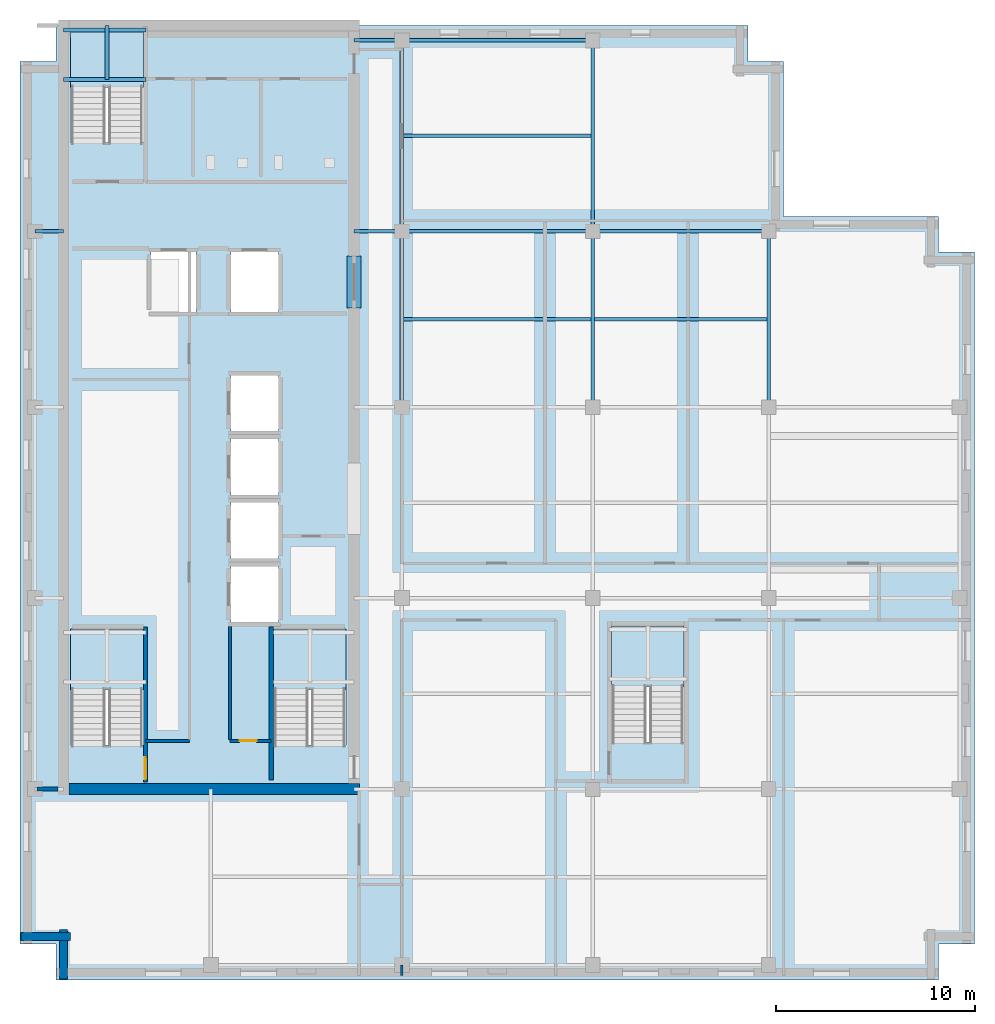
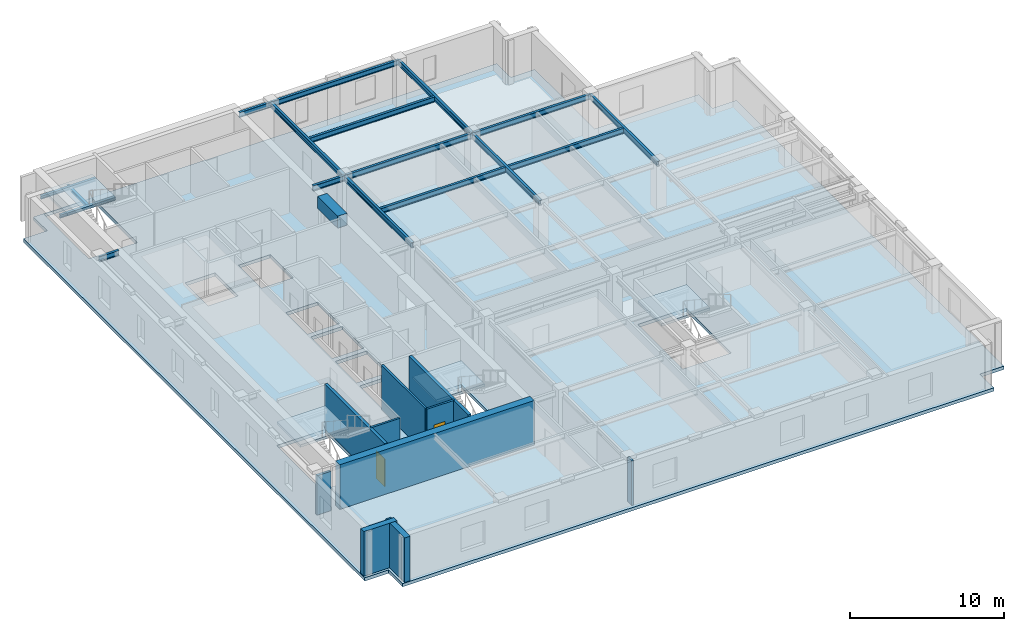
# One storey, part 2 of 10: 18 beams, 10 walls, 5 slabs, 2 doors, 2 openings, 4 elements without a shape of their own.
"""IFC4 building model written with IfcOpenShell, lengths in metres."""

from ifc_helpers import new_model, si_unit, direction, frame, frame_2d, origin, origin_2d, place, context, subcontext, project, spatial, polyline, rectangle, i_section, outline, extrude, material, layer, layer_set, material_profile, profile_set, type_object, element, fill, aggregate, save


model = new_model("IFC4")

# Units and contexts
model_context = context("Model", 3, precision=1e-05, world=origin(), true_north=direction((0.0, 1.0)))
body_context = subcontext(model_context, "Body", "Model", "MODEL_VIEW")
ifc_project = project(units=[si_unit("LENGTHUNIT", "METRE"), si_unit("AREAUNIT", "SQUARE_METRE"), si_unit("VOLUMEUNIT", "CUBIC_METRE"), si_unit("PLANEANGLEUNIT", "RADIAN"), si_unit("MASSUNIT", "GRAM", prefix="KILO")], contexts=[model_context])

# Site, building, storey
site_placement = place(None, origin())
site = spatial("IfcSite", under=ifc_project, at=site_placement, CompositionType="ELEMENT")
building_placement = place(site_placement, origin())
building = spatial("IfcBuilding", under=site, at=building_placement, Name="Norrvale University Quadrangle", CompositionType="ELEMENT")
storey_placement = place(building_placement, frame((0.0, 0.0, 273.39990234375)))
storey = spatial("IfcBuildingStorey", under=building, at=storey_placement, Name="L69", CompositionType="ELEMENT", Elevation=273.39990234375)

# Beams
ifc_material_1 = material(Name="Steel 350W", Category="steel")
ifc_material_profile_1 = material_profile(ifc_material_1, i_section(OverallWidth=0.180908203125, OverallDepth=0.4169921875, WebThickness=0.010986328125, FlangeThickness=0.018310546875, FilletRadius=0.011962890625, at=origin_2d()), Name="Steel 350W")
ifc_profile_set_1 = profile_set([ifc_material_profile_1], Name="Steel 350W")
beam_type_1 = type_object("IfcBeamType", Name="Beam Atrium W410x85", PredefinedType="BEAM", material=ifc_profile_set_1)
beam_1_placement = place(storey_placement, frame((19.199951171875, 37.64990234375, 3.33154296875), z_axis=(1.0, 0.0, 0.0), x_axis=(0.0, 1.0, 0.0)))
element("IfcBeam", 1, at=beam_1_placement, inside=storey, type_object=beam_type_1, Name="Beam Atrium W410x85 BM-L69-GX013", PredefinedType="BEAM", context=body_context, shape_type="SweptSolid", body=[
    extrude(i_section(OverallWidth=0.180908203125, OverallDepth=0.4169921875, WebThickness=0.010986328125, FlangeThickness=0.018310546875, FilletRadius=0.011962890625, at=origin_2d()), origin(), (0.0, 0.0, 1.0), 9.60009765625),
])
beam_2_placement = place(storey_placement, frame((28.800048828125, 37.64990234375, 3.33154296875), z_axis=(1.0, 0.0, 0.0), x_axis=(0.0, 1.0, 0.0)))
element("IfcBeam", 2, at=beam_2_placement, inside=storey, type_object=beam_type_1, Name="Beam Atrium W410x85 BM-L69-GX014", PredefinedType="BEAM", context=body_context, shape_type="SweptSolid", body=[
    extrude(i_section(OverallWidth=0.180908203125, OverallDepth=0.4169921875, WebThickness=0.010986328125, FlangeThickness=0.018310546875, FilletRadius=0.011962890625, at=origin_2d()), origin(), (0.0, 0.0, 1.0), 8.849853515625),
])
beam_3_placement = place(storey_placement, frame((19.199951171875, 47.25, 3.33154296875), z_axis=(1.0, 0.0, 0.0), x_axis=(0.0, 1.0, 0.0)))
element("IfcBeam", 3, at=beam_3_placement, inside=storey, type_object=beam_type_1, Name="Beam Atrium W410x85 BM-L69-GX015", PredefinedType="BEAM", context=body_context, shape_type="SweptSolid", body=[
    extrude(i_section(OverallWidth=0.180908203125, OverallDepth=0.4169921875, WebThickness=0.010986328125, FlangeThickness=0.018310546875, FilletRadius=0.011962890625, at=origin_2d()), origin(), (0.0, 0.0, 1.0), 9.60009765625),
])
beam_4_placement = place(storey_placement, frame((19.199951171875, 28.800048828125, 3.33154296875), z_axis=(0.0, 1.0, 0.0), x_axis=(-1.0, 0.0, 0.0)))
element("IfcBeam", 4, at=beam_4_placement, inside=storey, type_object=beam_type_1, Name="Beam Atrium W410x85 BM-L69-GY022", PredefinedType="BEAM", context=body_context, shape_type="SweptSolid", body=[
    extrude(i_section(OverallWidth=0.180908203125, OverallDepth=0.4169921875, WebThickness=0.010986328125, FlangeThickness=0.018310546875, FilletRadius=0.011962890625, at=origin_2d()), origin(), (0.0, 0.0, 1.0), 8.849853515625),
])
beam_5_placement = place(storey_placement, frame((19.199951171875, 37.64990234375, 3.33154296875), z_axis=(0.0, 1.0, 0.0), x_axis=(-1.0, 0.0, 0.0)))
element("IfcBeam", 5, at=beam_5_placement, inside=storey, type_object=beam_type_1, Name="Beam Atrium W410x85 BM-L69-GY023", PredefinedType="BEAM", context=body_context, shape_type="SweptSolid", body=[
    extrude(i_section(OverallWidth=0.180908203125, OverallDepth=0.4169921875, WebThickness=0.010986328125, FlangeThickness=0.018310546875, FilletRadius=0.011962890625, at=origin_2d()), origin(), (0.0, 0.0, 1.0), 9.60009765625),
])
beam_6_placement = place(storey_placement, frame((28.800048828125, 28.800048828125, 3.33154296875), z_axis=(0.0, 1.0, 0.0), x_axis=(-1.0, 0.0, 0.0)))
element("IfcBeam", 6, at=beam_6_placement, inside=storey, type_object=beam_type_1, Name="Beam Atrium W410x85 BM-L69-GY027", PredefinedType="BEAM", context=body_context, shape_type="SweptSolid", body=[
    extrude(i_section(OverallWidth=0.180908203125, OverallDepth=0.4169921875, WebThickness=0.010986328125, FlangeThickness=0.018310546875, FilletRadius=0.011962890625, at=origin_2d()), origin(), (0.0, 0.0, 1.0), 8.849853515625),
])
beam_7_placement = place(storey_placement, frame((28.800048828125, 37.64990234375, 3.33154296875), z_axis=(0.0, 1.0, 0.0), x_axis=(-1.0, 0.0, 0.0)))
element("IfcBeam", 7, at=beam_7_placement, inside=storey, type_object=beam_type_1, Name="Beam Atrium W410x85 BM-L69-GY028", PredefinedType="BEAM", context=body_context, shape_type="SweptSolid", body=[
    extrude(i_section(OverallWidth=0.180908203125, OverallDepth=0.4169921875, WebThickness=0.010986328125, FlangeThickness=0.018310546875, FilletRadius=0.011962890625, at=origin_2d()), origin(), (0.0, 0.0, 1.0), 9.60009765625),
])
beam_8_placement = place(storey_placement, frame((37.64990234375, 28.800048828125, 3.33154296875), z_axis=(0.0, 1.0, 0.0), x_axis=(-1.0, 0.0, 0.0)))
element("IfcBeam", 8, at=beam_8_placement, inside=storey, type_object=beam_type_1, Name="Beam Atrium W410x85 BM-L69-GY032", PredefinedType="BEAM", context=body_context, shape_type="SweptSolid", body=[
    extrude(i_section(OverallWidth=0.180908203125, OverallDepth=0.4169921875, WebThickness=0.010986328125, FlangeThickness=0.018310546875, FilletRadius=0.011962890625, at=origin_2d()), origin(), (0.0, 0.0, 1.0), 8.849853515625),
])
beam_9_placement = place(storey_placement, frame((0.75, 37.64990234375, 3.33154296875), z_axis=(1.0, 0.0, 0.0), x_axis=(0.0, 1.0, 0.0)))
element("IfcBeam", 9, at=beam_9_placement, inside=storey, type_object=beam_type_1, Name="Beam Atrium W410x85 BM-L69-GCW041", PredefinedType="BEAM", context=body_context, shape_type="SweptSolid", body=[
    extrude(i_section(OverallWidth=0.180908203125, OverallDepth=0.4169921875, WebThickness=0.010986328125, FlangeThickness=0.018310546875, FilletRadius=0.011962890625, at=origin_2d()), origin(), (0.0, 0.0, 1.0), 1.449951171875),
])
for number, where, z_axis, x_axis, name in (
    (10, (16.800048828125, 37.64990234375, 3.33154296875), (1.0, 0.0, 0.0), (0.0, 1.0, 0.0), "Beam Atrium W410x85 BM-L69-GCE042"),
    (11, (16.800048828125, 47.25, 3.33154296875), (1.0, 0.0, 0.0), (0.0, 1.0, 0.0), "Beam Atrium W410x85 BM-L69-GCE043"),
):
    element("IfcBeam", number, at=place(storey_placement, frame(where, z_axis=z_axis, x_axis=x_axis)), inside=storey, type_object=beam_type_1, Name=name, PredefinedType="BEAM", context=body_context, shape_type="SweptSolid", body=[
        extrude(i_section(OverallWidth=0.180908203125, OverallDepth=0.4169921875, WebThickness=0.010986328125, FlangeThickness=0.018310546875, FilletRadius=0.011962890625, at=origin_2d()), origin(), (0.0, 0.0, 1.0), 2.39990234375),
    ])
ifc_material_2 = material(Name="Concrete C80/95", Category="concrete")
ifc_material_profile_2 = material_profile(ifc_material_2, rectangle(XDim=0.699951171875, YDim=0.949951171875, at=origin_2d()), Name="Concrete C80/95")
ifc_profile_set_2 = profile_set([ifc_material_profile_2], Name="Concrete C80/95")
beam_type_2 = type_object("IfcBeamType", Name="Beam Core Link 700x950", PredefinedType="LINTEL", material=ifc_profile_set_2)
beam_10_placement = place(storey_placement, frame((16.800048828125, 33.800048828125, 3.065185546875), z_axis=(0.0, 1.0, 0.0), x_axis=(-1.0, 0.0, 0.0)))
element("IfcBeam", 12, at=beam_10_placement, inside=storey, type_object=beam_type_2, Name="Core Coupling Lintel Beam L69-2", PredefinedType="LINTEL", context=body_context, shape_type="SweptSolid", body=[
    extrude(rectangle(XDim=0.699951171875, YDim=0.949951171875, at=origin_2d()), origin(), (0.0, 0.0, 1.0), 2.599853515625),
])
ifc_material_profile_3 = material_profile(ifc_material_1, i_section(OverallWidth=0.177978515625, OverallDepth=0.406982421875, WebThickness=0.0078125, FlangeThickness=0.0126953125, FilletRadius=0.011962890625, at=origin_2d()), Name="Steel 350W")
ifc_profile_set_3 = profile_set([ifc_material_profile_3], Name="Steel 350W")
beam_type_3 = type_object("IfcBeamType", Name="Beam Roof Purlin W410x60", PredefinedType="USERDEFINED", material=ifc_profile_set_3)
for number, where, z_axis, x_axis, name in (
    (13, (19.29052734375, 33.22509765625, 3.336669921875), (1.0, 0.0, 0.0), (0.0, 1.0, 0.0), "Beam Roof Purlin W410x60 BM-L69-J047"),
    (14, (19.29052734375, 42.449951171875, 3.336669921875), (1.0, 0.0, 0.0), (0.0, 1.0, 0.0), "Beam Roof Purlin W410x60 BM-L69-J048"),
):
    element("IfcBeam", number, at=place(storey_placement, frame(where, z_axis=z_axis, x_axis=x_axis)), inside=storey, type_object=beam_type_3, Name=name, ObjectType="PURLIN", PredefinedType="USERDEFINED", context=body_context, shape_type="SweptSolid", body=[
        extrude(i_section(OverallWidth=0.177978515625, OverallDepth=0.406982421875, WebThickness=0.0078125, FlangeThickness=0.0126953125, FilletRadius=0.011962890625, at=origin_2d()), origin(), (0.0, 0.0, 1.0), 9.4189453125),
    ])
beam_11_placement = place(storey_placement, frame((28.890380859375, 33.22509765625, 3.336669921875), z_axis=(1.0, 0.0, 0.0), x_axis=(0.0, 1.0, 0.0)))
element("IfcBeam", 15, at=beam_11_placement, inside=storey, type_object=beam_type_3, Name="Beam Roof Purlin W410x60 BM-L69-J051", ObjectType="PURLIN", PredefinedType="USERDEFINED", context=body_context, shape_type="SweptSolid", body=[
    extrude(i_section(OverallWidth=0.177978515625, OverallDepth=0.406982421875, WebThickness=0.0078125, FlangeThickness=0.0126953125, FilletRadius=0.011962890625, at=origin_2d()), origin(), (0.0, 0.0, 1.0), 8.669189453125),
])
ifc_material_profile_4 = material_profile(ifc_material_1, i_section(OverallWidth=0.201904296875, OverallDepth=0.2470703125, WebThickness=0.00732421875, FlangeThickness=0.010986328125, FilletRadius=0.011962890625, at=origin_2d()), Name="Steel 350W")
ifc_profile_set_4 = profile_set([ifc_material_profile_4], Name="Steel 350W")
beam_type_4 = type_object("IfcBeamType", Name="Beam Stair W250x49", PredefinedType="BEAM", material=ifc_profile_set_4)
for number, where, z_axis, x_axis, name in (
    (16, (2.199951171875, 45.2900390625, 1.57666015625), (1.0, 0.0, 0.0), (0.0, 1.0, 0.0), "Stair Mid-Landing Front Beam ST-02 L69"),
    (17, (2.199951171875, 47.77001953125, 1.57666015625), (1.0, 0.0, 0.0), (0.0, 1.0, 0.0), "Stair Mid-Landing Rear Beam ST-02 L69"),
):
    element("IfcBeam", number, at=place(storey_placement, frame(where, z_axis=z_axis, x_axis=x_axis)), inside=storey, type_object=beam_type_4, Name=name, PredefinedType="BEAM", context=body_context, shape_type="SweptSolid", body=[
        extrude(i_section(OverallWidth=0.201904296875, OverallDepth=0.2470703125, WebThickness=0.00732421875, FlangeThickness=0.010986328125, FilletRadius=0.011962890625, at=origin_2d()), origin(), (0.0, 0.0, 1.0), 4.14013671875),
    ])
ifc_material_profile_5 = material_profile(ifc_material_1, i_section(OverallWidth=0.202880859375, OverallDepth=0.202880859375, WebThickness=0.007080078125, FlangeThickness=0.010986328125, FilletRadius=0.010009765625, at=origin_2d()), Name="Steel 350W")
ifc_profile_set_5 = profile_set([ifc_material_profile_5], Name="Steel 350W")
beam_type_5 = type_object("IfcBeamType", Name="Beam Trim W200x46", PredefinedType="BEAM", material=ifc_profile_set_5)
beam_12_placement = place(storey_placement, frame((4.375, 45.2900390625, 1.5986328125), z_axis=(0.0, 1.0, 0.0), x_axis=(-1.0, 0.0, 0.0)))
element("IfcBeam", 18, at=beam_12_placement, inside=storey, type_object=beam_type_5, Name="Stair Mid-Landing Cross Beam ST-02 L69", PredefinedType="BEAM", context=body_context, shape_type="SweptSolid", body=[
    extrude(i_section(OverallWidth=0.202880859375, OverallDepth=0.202880859375, WebThickness=0.007080078125, FlangeThickness=0.010986328125, FilletRadius=0.010009765625, at=origin_2d()), origin(), (0.0, 0.0, 1.0), 2.7099609375),
])

# Stair, slab
ifc_material_3 = material(Name="Concrete C40/50", Category="concrete")
stair_type = type_object("IfcStairType", Name="Stair Tower Typ 3800", PredefinedType="TWO_STRAIGHT_RUN_STAIR", material=ifc_material_3)
stair_1_placement = place(storey_placement, origin())
stair_1 = element("IfcStair", 19, at=stair_1_placement, inside=storey, type_object=stair_type, Name="Exit Stair ST-01 L69", PredefinedType="TWO_STRAIGHT_RUN_STAIR")
ifc_layer_1 = layer(ifc_material_3, 0.199951171875, Name="Concrete C40/50")
ifc_layer_set_1 = layer_set([ifc_layer_1], Name="Concrete C40/50")
slab_type_1 = type_object("IfcSlabType", Name="Slab Landing 200", PredefinedType="LANDING", material=ifc_layer_set_1)
slab_1_placement = place(storey_placement, frame((0.0, 0.0, 1.7001953125)))
slab_1 = element("IfcSlab", 20, at=slab_1_placement, type_object=slab_type_1, Name="Exit Stair ST-01 L69 Mid Landing", PredefinedType="LANDING", context=body_context, shape_type="SweptSolid", body=[
    extrude(outline(polyline([(2.550048828125, 14.590087890625), (6.199951171875, 14.590087890625), (6.199951171875, 17.64990234375), (2.550048828125, 17.64990234375), (2.550048828125, 14.590087890625)])), origin(), (0.0, 0.0, 1.0), 0.199951171875),
])
aggregate(stair_1, [slab_1])

stair_2_placement = place(storey_placement, origin())
stair_2 = element("IfcStair", 21, at=stair_2_placement, inside=storey, type_object=stair_type, Name="Exit Stair ST-02 L69", PredefinedType="TWO_STRAIGHT_RUN_STAIR")
slab_2_placement = place(storey_placement, frame((0.0, 0.0, 1.7001953125)))
slab_2 = element("IfcSlab", 22, at=slab_2_placement, type_object=slab_type_1, Name="Exit Stair ST-02 L69 Mid Landing", PredefinedType="LANDING", context=body_context, shape_type="SweptSolid", body=[
    extrude(outline(polyline([(2.550048828125, 44.889892578125), (6.199951171875, 44.889892578125), (6.199951171875, 47.949951171875), (2.550048828125, 47.949951171875), (2.550048828125, 44.889892578125)])), origin(), (0.0, 0.0, 1.0), 0.199951171875),
])
aggregate(stair_2, [slab_2])

stair_3_placement = place(storey_placement, origin())
stair_3 = element("IfcStair", 23, at=stair_3_placement, inside=storey, type_object=stair_type, Name="Exit Stair ST-03 L69", PredefinedType="TWO_STRAIGHT_RUN_STAIR")
slab_3_placement = place(storey_placement, frame((0.0, 0.0, 1.7001953125)))
slab_3 = element("IfcSlab", 24, at=slab_3_placement, type_object=slab_type_1, Name="Exit Stair ST-03 L69 Mid Landing", PredefinedType="LANDING", context=body_context, shape_type="SweptSolid", body=[
    extrude(outline(polyline([(12.75, 14.590087890625), (16.39990234375, 14.590087890625), (16.39990234375, 17.64990234375), (12.75, 17.64990234375), (12.75, 14.590087890625)])), origin(), (0.0, 0.0, 1.0), 0.199951171875),
])
aggregate(stair_3, [slab_3])

stair_4_placement = place(storey_placement, origin())
stair_4 = element("IfcStair", 25, at=stair_4_placement, inside=storey, type_object=stair_type, Name="Exit Stair ST-04 L69", PredefinedType="TWO_STRAIGHT_RUN_STAIR")
slab_4_placement = place(storey_placement, frame((0.0, 0.0, 1.7001953125)))
slab_4 = element("IfcSlab", 26, at=slab_4_placement, type_object=slab_type_1, Name="Exit Stair ST-04 L69 Mid Landing", PredefinedType="LANDING", context=body_context, shape_type="SweptSolid", body=[
    extrude(outline(polyline([(29.75, 14.739990234375), (33.39990234375, 14.739990234375), (33.39990234375, 17.800048828125), (29.75, 17.800048828125), (29.75, 14.739990234375)])), origin(), (0.0, 0.0, 1.0), 0.199951171875),
])
aggregate(stair_4, [slab_4])

# Slab
ifc_layer_2 = layer(ifc_material_3, 0.260009765625, Name="Concrete C40/50")
ifc_layer_set_2 = layer_set([ifc_layer_2], Name="Concrete C40/50")
slab_type_2 = type_object("IfcSlabType", Name="Slab Tower Typ 260", PredefinedType="FLOOR", material=ifc_layer_set_2)
slab_5_placement = place(storey_placement, frame((0.0, 0.0, -0.260009765625)))
element("IfcSlab", 27, at=slab_5_placement, inside=storey, type_object=slab_type_2, Name="Tower L69 Floor Slab", PredefinedType="FLOOR", context=body_context, shape_type="SweptSolid", body=[
    extrude(outline(polyline([(1.800048828125, 0.0), (46.199951171875, 0.0), (46.199951171875, 1.800048828125), (48.0, 1.800048828125), (48.0, 36.60009765625), (46.199951171875, 36.60009765625), (46.199951171875, 38.39990234375), (38.39990234375, 38.39990234375), (38.39990234375, 46.199951171875), (36.60009765625, 46.199951171875), (36.60009765625, 48.0), (1.800048828125, 48.0), (1.800048828125, 46.199951171875), (0.0, 46.199951171875), (0.0, 1.800048828125), (1.800048828125, 1.800048828125), (1.800048828125, 0.0)]), holes=[polyline([(2.550048828125, 11.81005859375), (6.199951171875, 11.81005859375), (6.199951171875, 17.64990234375), (2.550048828125, 17.64990234375), (2.550048828125, 11.81005859375)]), polyline([(2.550048828125, 42.110107421875), (6.199951171875, 42.110107421875), (6.199951171875, 47.949951171875), (2.550048828125, 47.949951171875), (2.550048828125, 42.110107421875)]), polyline([(12.75, 11.81005859375), (16.39990234375, 11.81005859375), (16.39990234375, 17.64990234375), (12.75, 17.64990234375), (12.75, 11.81005859375)]), polyline([(29.75, 11.9599609375), (33.39990234375, 11.9599609375), (33.39990234375, 17.800048828125), (29.75, 17.800048828125), (29.75, 11.9599609375)]), polyline([(10.60009765625, 18.0), (13.0, 18.0), (13.0, 20.800048828125), (10.60009765625, 20.800048828125), (10.60009765625, 18.0)]), polyline([(10.60009765625, 21.199951171875), (13.0, 21.199951171875), (13.0, 24.0), (10.60009765625, 24.0), (10.60009765625, 21.199951171875)]), polyline([(10.60009765625, 24.39990234375), (13.0, 24.39990234375), (13.0, 27.199951171875), (10.60009765625, 27.199951171875), (10.60009765625, 24.39990234375)]), polyline([(10.60009765625, 27.60009765625), (13.0, 27.60009765625), (13.0, 30.39990234375), (10.60009765625, 30.39990234375), (10.60009765625, 27.60009765625)]), polyline([(6.60009765625, 33.60009765625), (8.85009765625, 33.60009765625), (8.85009765625, 36.60009765625), (6.60009765625, 36.60009765625), (6.60009765625, 33.60009765625)]), polyline([(10.60009765625, 33.60009765625), (13.0, 33.60009765625), (13.0, 36.60009765625), (10.60009765625, 36.60009765625), (10.60009765625, 33.60009765625)])]), origin(), (0.0, 0.0, 1.0), 0.260009765625),
])

# Walls
ifc_material_4 = material(Name="Buff Norman Clay Brick Masonry", Category="masonry")
ifc_layer_3 = layer(ifc_material_4, 0.419921875, Name="Buff Norman Clay Brick Masonry")
ifc_layer_set_3 = layer_set([ifc_layer_3], Name="Buff Norman Clay Brick Masonry")
wall_type_1 = type_object("IfcWallType", Name="Wall Buff Brick 420", PredefinedType="SOLIDWALL", material=ifc_layer_set_3)
for number, where, z_axis, x_axis, name in (
    (28, (0.0400390625, 2.18994140625, 0.0), (0.0, 0.0, 1.0), (1.0, 0.0, 0.0), "Exterior Brick Facade Wall L69-15.1"),
    (29, (2.18994140625, 2.5400390625, 0.0), (0.0, 0.0, 1.0), (0.0, -1.0, 0.0), "Exterior Brick Facade Wall L69-16.1"),
):
    element("IfcWall", number, at=place(storey_placement, frame(where, z_axis=z_axis, x_axis=x_axis)), inside=storey, type_object=wall_type_1, Name=name, PredefinedType="SOLIDWALL", context=body_context, shape_type="SweptSolid", body=[
        extrude(rectangle(XDim=2.5, YDim=0.419921875, at=frame_2d((1.25, 0.0))), origin(), (0.0, 0.0, 1.0), 3.5400390625),
    ])
ifc_material_5 = material(Name="Concrete C60/75", Category="concrete")
ifc_layer_4 = layer(ifc_material_5, 0.550048828125, Name="Concrete C60/75")
ifc_layer_set_4 = layer_set([ifc_layer_4], Name="Concrete C60/75")
wall_type_2 = type_object("IfcWallType", Name="Wall Core 550", PredefinedType="SHEAR", material=ifc_layer_set_4)
wall_1_placement = place(storey_placement, frame((2.47509765625, 9.60009765625, 0.0), z_axis=(0.0, 0.0, 1.0), x_axis=(1.0, 0.0, 0.0)))
element("IfcWall", 30, at=wall_1_placement, inside=storey, type_object=wall_type_2, Name="Tower Core Shear Wall L69-S", PredefinedType="SHEAR", context=body_context, shape_type="SweptSolid", body=[
    extrude(rectangle(XDim=14.599853515625, YDim=0.550048828125, at=frame_2d((7.2998046875, 0.0))), origin(), (0.0, 0.0, 1.0), 3.5400390625),
])
ifc_material_6 = material(Name="Standard Academic Gypsum Partition")
ifc_layer_5 = layer(ifc_material_6, 0.125, Name="Standard Academic Gypsum Partition")
ifc_layer_set_5 = layer_set([ifc_layer_5], Name="Standard Academic Gypsum Partition")
wall_type_3 = type_object("IfcWallType", Name="Wall Gypsum Academic 125", PredefinedType="PARTITIONING", material=ifc_layer_set_5)
wall_2_placement = place(storey_placement, frame((19.199951171875, 0.219970703125, 0.0), z_axis=(0.0, 0.0, 1.0), x_axis=(0.0, 1.0, 0.0)))
element("IfcWall", 31, at=wall_2_placement, inside=storey, type_object=wall_type_3, Name="Interior Partition WL-L69-SE-W0", PredefinedType="PARTITIONING", context=body_context, shape_type="SweptSolid", body=[
    extrude(rectangle(XDim=0.530029296875, YDim=0.125, at=frame_2d((0.26513671875, 0.0))), origin(), (0.0, 0.0, 1.0), 3.5400390625),
])

# Wall, opening, door
ifc_material_7 = material(Name="Fire-Rated Gypsum Stud Partition")
ifc_layer_6 = layer(ifc_material_7, 0.14990234375, Name="Fire-Rated Gypsum Stud Partition")
ifc_layer_set_6 = layer_set([ifc_layer_6], Name="Fire-Rated Gypsum Stud Partition")
wall_type_4 = type_object("IfcWallType", Name="Wall Gypsum Corridor 150", PredefinedType="PARTITIONING", material=ifc_layer_set_6)
wall_3_placement = place(storey_placement, frame((10.550048828125, 12.02001953125, 0.0), z_axis=(0.0, 0.0, 1.0), x_axis=(1.0, 0.0, 0.0)))
wall_3 = element("IfcWall", 32, at=wall_3_placement, inside=storey, type_object=wall_type_4, Name="Interior Partition WL-L69-SC-NR", PredefinedType="PARTITIONING", context=body_context, shape_type="SweptSolid", body=[
    extrude(rectangle(XDim=2.079833984375, YDim=0.14990234375, at=frame_2d((1.0400390625, 0.0))), origin(), (0.0, 0.0, 1.0), 3.5400390625),
])
opening_1_placement = place(wall_3_placement, frame((0.5, 0.0, 0.0)))
opening_1 = element("IfcOpeningElement", 33, at=opening_1_placement, cuts=wall_3, Name="Opening D10", PredefinedType="OPENING", context=body_context, shape_type="SweptSolid", body=[
    extrude(rectangle(XDim=0.85009765625, YDim=2.10009765625, at=frame_2d((0.425048828125, 1.050048828125))), frame((0.0, 0.0869140625, 0.0), z_axis=(0.0, -1.0, 0.0), x_axis=(1.0, 0.0, 0.0)), (0.0, 0.0, 1.0), 0.173828125),
])
ifc_material_8 = material(Name="Hollow Steel 350W Riser Fire Door", Category="steel")
door_type_1 = type_object("IfcDoorType", Name="Door Riser 850x2100", OperationType="NOTDEFINED", PredefinedType="DOOR", material=ifc_material_8)
door_1_placement = place(opening_1_placement, origin())
door_1 = element("IfcDoor", 34, at=door_1_placement, inside=storey, type_object=door_type_1, Name="Door Riser 850x2100 DR-L69-IDF", OperationType="SINGLE_SWING_RIGHT", OverallHeight=2.10009765625, OverallWidth=0.85009765625, PredefinedType="DOOR", context=body_context, shape_type="SweptSolid", body=[
    extrude(rectangle(XDim=0.85009765625, YDim=2.10009765625, at=frame_2d((0.425048828125, 1.050048828125))), frame((0.0, 0.02490234375, 0.0), z_axis=(0.0, -1.0, 0.0), x_axis=(1.0, 0.0, 0.0)), (0.0, 0.0, 1.0), 0.050048828125),
])
fill(opening_1, door_1)

# Walls
wall_4_placement = place(storey_placement, frame((10.550048828125, 12.094970703125, 0.0), z_axis=(0.0, 0.0, 1.0), x_axis=(0.0, 1.0, 0.0)))
element("IfcWall", 35, at=wall_4_placement, inside=storey, type_object=wall_type_4, Name="Interior Partition WL-L69-SC-WR", PredefinedType="PARTITIONING", context=body_context, shape_type="SweptSolid", body=[
    extrude(rectangle(XDim=5.679931640625, YDim=0.14990234375, at=frame_2d((2.83984375, 0.0))), origin(), (0.0, 0.0, 1.0), 3.5400390625),
])
wall_5_placement = place(storey_placement, frame((6.320068359375, 12.02001953125, 0.0), z_axis=(0.0, 0.0, 1.0), x_axis=(1.0, 0.0, 0.0)))
element("IfcWall", 36, at=wall_5_placement, inside=storey, type_object=wall_type_4, Name="Interior Partition WL-L69-REC-S", PredefinedType="PARTITIONING", context=body_context, shape_type="SweptSolid", body=[
    extrude(rectangle(XDim=2.199951171875, YDim=0.14990234375, at=frame_2d((1.10009765625, 0.0))), origin(), (0.0, 0.0, 1.0), 3.5400390625),
])
ifc_material_9 = material(Name="Concrete Blockwork 20 MPa Rated Wall", Category="masonry")
ifc_layer_7 = layer(ifc_material_9, 0.199951171875, Name="Concrete Blockwork 20 MPa Rated Wall")
ifc_layer_set_7 = layer_set([ifc_layer_7], Name="Concrete Blockwork 20 MPa Rated Wall")
wall_type_5 = type_object("IfcWallType", Name="Wall Lobby 200", PredefinedType="SOLIDWALL", material=ifc_layer_set_7)
wall_6_placement = place(storey_placement, frame((0.85009765625, 9.60009765625, 0.0), z_axis=(0.0, 0.0, 1.0), x_axis=(1.0, 0.0, 0.0)))
element("IfcWall", 37, at=wall_6_placement, inside=storey, type_object=wall_type_5, Name="Interior Partition WL-L69-CWRET-S", PredefinedType="SOLIDWALL", context=body_context, shape_type="SweptSolid", body=[
    extrude(rectangle(XDim=1.06982421875, YDim=0.199951171875, at=frame_2d((0.534912109375, 0.0))), origin(), (0.0, 0.0, 1.0), 3.123046875),
])

# Wall, opening, door
ifc_material_10 = material(Name="Concrete Blockwork 20 MPa Fire Shaft", Category="masonry")
ifc_layer_8 = layer(ifc_material_10, 0.219970703125, Name="Concrete Blockwork 20 MPa Fire Shaft")
ifc_layer_set_8 = layer_set([ifc_layer_8], Name="Concrete Blockwork 20 MPa Fire Shaft")
wall_type_6 = type_object("IfcWallType", Name="Wall Shaft 220", PredefinedType="SOLIDWALL", material=ifc_layer_set_8)
wall_7_placement = place(storey_placement, frame((6.31005859375, 9.949951171875, 0.0), z_axis=(0.0, 0.0, 1.0), x_axis=(0.0, 1.0, 0.0)))
wall_7 = element("IfcWall", 38, at=wall_7_placement, inside=storey, type_object=wall_type_6, Name="Stair ST-01 East Shaft Wall L69", PredefinedType="SOLIDWALL", context=body_context, shape_type="SweptSolid", body=[
    extrude(rectangle(XDim=7.81005859375, YDim=0.219970703125, at=frame_2d((3.905029296875, 0.0))), origin(), (0.0, 0.0, 1.0), 3.5400390625),
])
opening_2_placement = place(wall_7_placement, frame((0.139892578125, 0.0, 0.0)))
opening_2 = element("IfcOpeningElement", 39, at=opening_2_placement, cuts=wall_7, Name="Opening D02", PredefinedType="OPENING", context=body_context, shape_type="SweptSolid", body=[
    extrude(rectangle(XDim=1.10009765625, YDim=2.199951171875, at=frame_2d((0.550048828125, 1.10009765625))), frame((0.0, 0.1220703125, 0.0), z_axis=(0.0, -1.0, 0.0), x_axis=(1.0, 0.0, 0.0)), (0.0, 0.0, 1.0), 0.243896484375),
])
ifc_material_11 = material(Name="Hollow Steel 350W Fire Door", Category="steel")
door_type_2 = type_object("IfcDoorType", Name="Door Stair Exit 1100x2200", OperationType="NOTDEFINED", PredefinedType="DOOR", material=ifc_material_11)
door_2_placement = place(opening_2_placement, origin())
door_2 = element("IfcDoor", 40, at=door_2_placement, inside=storey, type_object=door_type_2, Name="Door Stair Exit 1100x2200 DR-L69-ST01", OperationType="SINGLE_SWING_LEFT", OverallHeight=2.199951171875, OverallWidth=1.10009765625, PredefinedType="DOOR", context=body_context, shape_type="SweptSolid", body=[
    extrude(rectangle(XDim=1.10009765625, YDim=2.199951171875, at=frame_2d((0.550048828125, 1.10009765625))), frame((0.0, 0.02490234375, 0.0), z_axis=(0.0, -1.0, 0.0), x_axis=(1.0, 0.0, 0.0)), (0.0, 0.0, 1.0), 0.050048828125),
])
fill(opening_2, door_2)

# Wall
wall_8_placement = place(storey_placement, frame((12.639892578125, 10.050048828125, 0.0), z_axis=(0.0, 0.0, 1.0), x_axis=(0.0, 1.0, 0.0)))
element("IfcWall", 41, at=wall_8_placement, inside=storey, type_object=wall_type_6, Name="Stair ST-03 West Shaft Wall L69", PredefinedType="SOLIDWALL", context=body_context, shape_type="SweptSolid", body=[
    extrude(rectangle(XDim=7.7099609375, YDim=0.219970703125, at=frame_2d((3.85498046875, 0.0))), origin(), (0.0, 0.0, 1.0), 3.5400390625),
])

save(model, "model.ifc")
